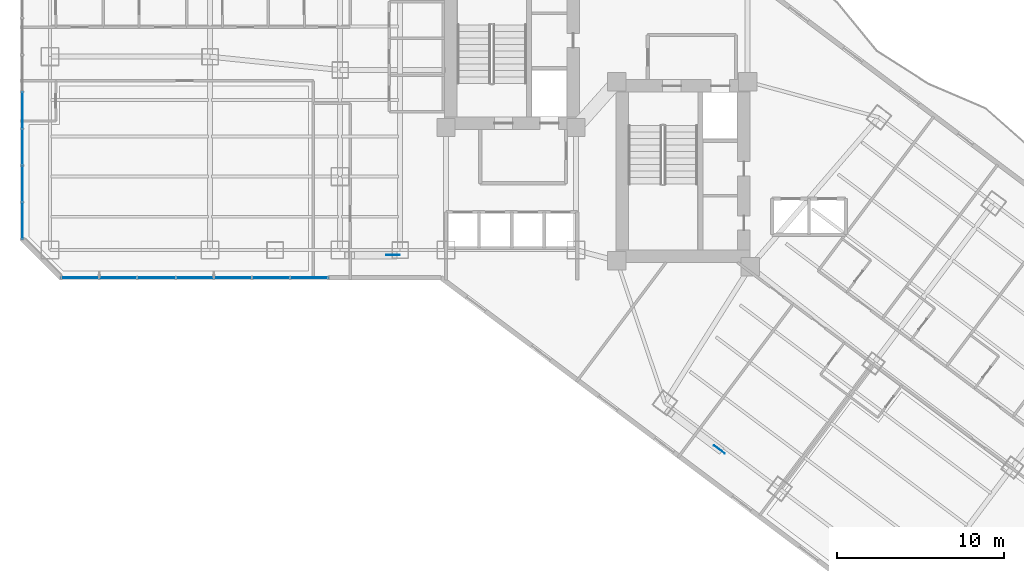
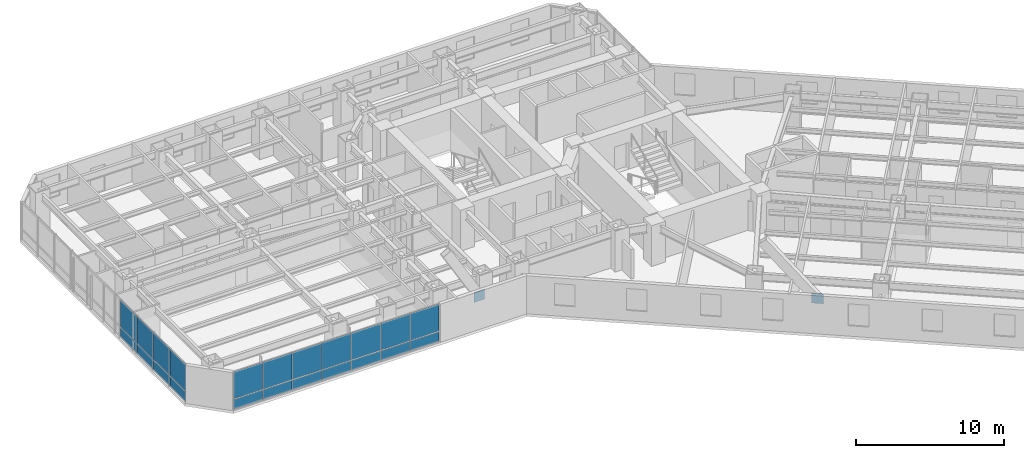
# One storey, part 20 of 33: 24 plates, 2 elements without a shape of their own.
"""IFC4 building model written with IfcOpenShell, lengths in metres."""

import ifcopenshell
import ifcopenshell.guid

model = None  # the IFC model being written
_history = None  # IfcOwnerHistory: only IFC2X3 demands one
_inside = {}  # id of a spatial element -> (the spatial element, [elements in it])
_under = {}  # id of a project, library or spatial element -> (it, [spatial elements below it])
_declared = {}  # id of a project -> (the project, [libraries it declares])
_typed = {}  # id of a type object -> (the type object, [elements of that type])
_made_of = {}  # id of a material, layer set ... -> (it, [elements and type objects made of it])


def new_model(schema):
    """Start an empty IFC model of exactly this schema.

    Asked for "IFC4X3", IfcOpenShell would pick the latest addendum, in which some entities
    have other attributes; the version numbers below select the first issue.
    IFC2X3 requires an IfcOwnerHistory on every rooted entity: one is made here for all.
    """
    global model, _history
    if schema == "IFC4X3":
        model = ifcopenshell.file(schema_version=(4, 3, 0, 0))
    else:
        model = ifcopenshell.file(schema=schema)
    _inside.clear()
    _under.clear()
    _declared.clear()
    _typed.clear()
    _made_of.clear()
    _history = None
    if model.schema == "IFC2X3":
        org = make("IfcOrganization", Name="unknown")
        user = make(
            "IfcPersonAndOrganization",
            ThePerson=make("IfcPerson", FamilyName="unknown"),
            TheOrganization=org,
        )
        app = make(
            "IfcApplication",
            ApplicationDeveloper=org,
            Version="unknown",
            ApplicationFullName="unknown",
            ApplicationIdentifier="unknown",
        )
        _history = make(
            "IfcOwnerHistory",
            OwningUser=user,
            OwningApplication=app,
            ChangeAction="ADDED",
            CreationDate=0,
        )
    return model


def make(cls, **values):
    """One entity of the class cls with the attributes given. An attribute that is None is left unset."""
    return model.create_entity(
        cls, **{name: value for name, value in values.items() if value is not None}
    )


def rooted(cls, **values):
    """An entity with a GlobalId (a new one), such as an element, a storey or a relation."""
    return make(cls, GlobalId=ifcopenshell.guid.new(), OwnerHistory=_history, **values)


def si_unit(unit_type, name, prefix=None):
    """IfcSIUnit, for example si_unit("LENGTHUNIT", "METRE", prefix="MILLI")."""
    return make("IfcSIUnit", UnitType=unit_type, Prefix=prefix, Name=name)


def assignment(units):
    """IfcUnitAssignment: the units of a project."""
    return None if units is None else make("IfcUnitAssignment", Units=units)


def point(xyz):
    """IfcCartesianPoint."""
    return None if xyz is None else make("IfcCartesianPoint", Coordinates=xyz)


def direction(xyz):
    """IfcDirection."""
    return None if xyz is None else make("IfcDirection", DirectionRatios=xyz)


def frame(location, z_axis=None, x_axis=None):
    """IfcAxis2Placement3D, a coordinate frame: its origin and axes. An axis left out is left unset."""
    return make(
        "IfcAxis2Placement3D",
        Location=point(location),
        Axis=direction(z_axis),
        RefDirection=direction(x_axis),
    )


def frame_2d(location, x_axis=None):
    """IfcAxis2Placement2D, a coordinate frame in the plane: its origin and x axis."""
    return make(
        "IfcAxis2Placement2D", Location=point(location), RefDirection=direction(x_axis)
    )


def origin():
    """The frame at (0, 0, 0) with its axes left unset."""
    return frame((0.0, 0.0, 0.0))


def origin_2d():
    """The frame at (0, 0) in the plane with its x axis left unset."""
    return frame_2d((0.0, 0.0))


def place(relative_to, where):
    """IfcLocalPlacement: puts the frame where relative to a parent placement (None: the world)."""
    return make(
        "IfcLocalPlacement", PlacementRelTo=relative_to, RelativePlacement=where
    )


def context(
    kind, dimensions, precision=None, world=None, true_north=None, identifier=None
):
    """IfcGeometricRepresentationContext, for example the 3D "Model" context."""
    return make(
        "IfcGeometricRepresentationContext",
        ContextIdentifier=identifier,
        ContextType=kind,
        CoordinateSpaceDimension=dimensions,
        Precision=precision,
        WorldCoordinateSystem=world,
        TrueNorth=true_north,
    )


def subcontext(parent, identifier, kind, view, scale=None):
    """IfcGeometricRepresentationSubContext, for example "Body" below "Model"."""
    return make(
        "IfcGeometricRepresentationSubContext",
        ContextIdentifier=identifier,
        ContextType=kind,
        ParentContext=parent,
        TargetScale=scale,
        TargetView=view,
    )


def project(units=None, contexts=None):
    """IfcProject with its units and contexts."""
    return rooted(
        "IfcProject",
        Name="project",
        RepresentationContexts=contexts,
        UnitsInContext=assignment(units),
    )


def spatial(cls, under=None, at=None, **own):
    """A site, building, storey or space (cls), placed at a placement, below another one or the project."""
    s = rooted(cls, ObjectPlacement=at, **own)
    if under is not None:
        _under.setdefault(under.id(), (under, []))[1].append(s)
    return s


def profile(cls, at=None, kind="AREA", **sizes):
    """A parametric profile (cls). Its sizes go by their IFC names, for example OverallWidth=200.0."""
    return make(cls, ProfileType=kind, Position=at, **sizes)


def rectangle(**sizes):
    """IfcRectangleProfileDef."""
    return profile("IfcRectangleProfileDef", **sizes)


def extrude(swept, where, along, depth):
    """IfcExtrudedAreaSolid: the profile swept, set in the frame where, extruded along a direction by depth."""
    return make(
        "IfcExtrudedAreaSolid",
        SweptArea=swept,
        Position=where,
        ExtrudedDirection=direction(along),
        Depth=depth,
    )


def shape(context_of_items, identifier, shape_type, items):
    """IfcShapeRepresentation: the items that make up one representation, for example the "Body"."""
    return make(
        "IfcShapeRepresentation",
        ContextOfItems=context_of_items,
        RepresentationIdentifier=identifier,
        RepresentationType=shape_type,
        Items=items,
    )


def material(Name=None, Category=None):
    """IfcMaterial."""
    return make("IfcMaterial", Name=Name, Category=Category)


def layer(
    of_material, thickness, ventilated=None, Name=None, Category=None, Priority=None
):
    """IfcMaterialLayer: one layer of a wall or slab, of a material (None: an air gap)."""
    return make(
        "IfcMaterialLayer",
        Material=of_material,
        LayerThickness=thickness,
        IsVentilated=ventilated,
        Name=Name,
        Category=Category,
        Priority=Priority,
    )


def layer_set(layers, Name=None):
    """IfcMaterialLayerSet."""
    return make("IfcMaterialLayerSet", MaterialLayers=layers, LayerSetName=Name)


def made_of(thing, what):
    """Note that an element or type object is made of a material, layer set ...; save() writes the relation."""
    if what is not None:
        _made_of.setdefault(what.id(), (what, []))[1].append(thing)
    return thing


def type_object(cls, material=None, **own):
    """A type object (cls), such as IfcWallType, which elements share."""
    return made_of(rooted(cls, **own), material)


def element(
    cls,
    number,
    at=None,
    inside=None,
    cuts=None,
    type_object=None,
    material=None,
    context=None,
    identifier="Body",
    shape_type=None,
    held_by="IfcProductDefinitionShape",
    body=None,
    shapes=None,
    **own,
):
    """One element of the class cls, such as IfcWall. Its Tag is "e" and its number.

    at: its placement. inside: the storey or other place that contains it. cuts: it is an
    opening in that element (IfcRelVoidsElement). A single representation is given by context,
    identifier, shape_type and body (its items); several are given by shapes. held_by: the class
    of the entity that holds the representations. save() writes the other relations.
    """
    e = rooted(cls, Tag="e%d" % number, ObjectPlacement=at, **own)
    if body is not None:
        shapes = [shape(context, identifier, shape_type, body)]
    if shapes is not None:
        e.Representation = make(held_by, Representations=shapes)
    if inside is not None:
        _inside.setdefault(inside.id(), (inside, []))[1].append(e)
    if cuts is not None:
        rooted(
            "IfcRelVoidsElement", RelatingBuildingElement=cuts, RelatedOpeningElement=e
        )
    if type_object is not None:
        _typed.setdefault(type_object.id(), (type_object, []))[1].append(e)
    return made_of(e, material)


def aggregate(whole, parts):
    """IfcRelAggregates: a whole, such as a stair, and the parts it consists of."""
    return rooted("IfcRelAggregates", RelatingObject=whole, RelatedObjects=parts)


def save(model, path):
    """Write the relations noted so far, then the file.

    IfcRelAggregates (storeys below a building ...), IfcRelContainedInSpatialStructure (elements
    in a storey), IfcRelDefinesByType, IfcRelAssociatesMaterial and IfcRelDeclares: one each for
    every whole, place, type object, material and project.
    """
    for whole, parts in _under.values():
        aggregate(whole, parts)
    for where, things in _inside.values():
        rooted(
            "IfcRelContainedInSpatialStructure",
            RelatedElements=things,
            RelatingStructure=where,
        )
    for kind, things in _typed.values():
        rooted("IfcRelDefinesByType", RelatedObjects=things, RelatingType=kind)
    for what, things in _made_of.values():
        rooted("IfcRelAssociatesMaterial", RelatedObjects=things, RelatingMaterial=what)
    for by, libraries in _declared.values():
        rooted("IfcRelDeclares", RelatingContext=by, RelatedDefinitions=libraries)
    model.write(path)


model = new_model("IFC4")

# Units and contexts
model_context = context("Model", 3, precision=1e-05, world=origin(), true_north=direction((0.0, 1.0)))
body_context = subcontext(model_context, "Body", "Model", "MODEL_VIEW")
ifc_project = project(units=[si_unit("LENGTHUNIT", "METRE"), si_unit("AREAUNIT", "SQUARE_METRE"), si_unit("VOLUMEUNIT", "CUBIC_METRE"), si_unit("PLANEANGLEUNIT", "RADIAN"), si_unit("MASSUNIT", "GRAM", prefix="KILO")], contexts=[model_context])

# Site, building, storey
site_placement = place(None, origin())
site = spatial("IfcSite", under=ifc_project, at=site_placement, CompositionType="ELEMENT")
building_placement = place(site_placement, origin())
building = spatial("IfcBuilding", under=site, at=building_placement, Name="Hatsunagi Terrace Concourse", CompositionType="ELEMENT")
storey_placement = place(building_placement, frame((0.0, 0.0, 56.699951171875)))
storey = spatial("IfcBuildingStorey", under=building, at=storey_placement, Name="L14", CompositionType="ELEMENT", Elevation=56.699951171875)

# Curtain wall, plates
ifc_material_1 = material(Name="Anodised Aluminium Alloy 6063-T5", Category="aluminium")
ifc_layer_1 = layer(ifc_material_1, 0.199951171875)
ifc_layer_set_1 = layer_set([ifc_layer_1], Name="HotelFacade_CW02")
curtain_wall_type = type_object("IfcCurtainWallType", Name="HotelFacade_CW02", PredefinedType="NOTDEFINED", material=ifc_layer_set_1)
curtain_wall_1_placement = place(storey_placement, origin())
curtain_wall_1 = element("IfcCurtainWall", 1, at=curtain_wall_1_placement, inside=storey, type_object=curtain_wall_type, Name="Unitised Curtain Wall CW-02 CW-L14-07", PredefinedType="NOTDEFINED")
ifc_material_2 = material(Name="Warm Terracotta Ceramic Spandrel Panel", Category="masonry")
ifc_layer_2 = layer(ifc_material_2, 0.031982421875)
ifc_layer_set_2 = layer_set([ifc_layer_2], Name="CurtainWallSpandrelPanel_32")
plate_type_1 = type_object("IfcPlateType", Name="CurtainWallSpandrelPanel_32", PredefinedType="SHEET", material=ifc_layer_set_2)
plate_1_placement = place(storey_placement, frame((17.35400390625, 23.5400390625, 0.030029296875), z_axis=(0.0, 0.0, 1.0), x_axis=(-1.0, 0.0, 0.0)))
plate_1 = element("IfcPlate", 2, at=plate_1_placement, type_object=plate_type_1, Name="Terracotta Spandrel Panel SPN-01", PredefinedType="SHEET", context=body_context, shape_type="SweptSolid", body=[
    extrude(rectangle(XDim=2.237060546875, YDim=0.031982421875, at=origin_2d()), origin(), (0.0, 0.0, 1.0), 0.7900390625),
])
plate_2_placement = place(storey_placement, frame((15.06201171875, 23.5400390625, 0.030029296875), z_axis=(0.0, 0.0, 1.0), x_axis=(-1.0, 0.0, 0.0)))
plate_2 = element("IfcPlate", 3, at=plate_2_placement, type_object=plate_type_1, Name="Terracotta Spandrel Panel SPN-01", PredefinedType="SHEET", context=body_context, shape_type="SweptSolid", body=[
    extrude(rectangle(XDim=2.237060546875, YDim=0.031982421875, at=origin_2d()), origin(), (0.0, 0.0, 1.0), 0.7900390625),
])
plate_3_placement = place(storey_placement, frame((12.77099609375, 23.5400390625, 0.030029296875), z_axis=(0.0, 0.0, 1.0), x_axis=(-1.0, 0.0, 0.0)))
plate_3 = element("IfcPlate", 4, at=plate_3_placement, type_object=plate_type_1, Name="Terracotta Spandrel Panel SPN-01", PredefinedType="SHEET", context=body_context, shape_type="SweptSolid", body=[
    extrude(rectangle(XDim=2.237060546875, YDim=0.031982421875, at=origin_2d()), origin(), (0.0, 0.0, 1.0), 0.7900390625),
])
plate_4_placement = place(storey_placement, frame((10.47900390625, 23.5400390625, 0.030029296875), z_axis=(0.0, 0.0, 1.0), x_axis=(-1.0, 0.0, 0.0)))
plate_4 = element("IfcPlate", 5, at=plate_4_placement, type_object=plate_type_1, Name="Terracotta Spandrel Panel SPN-01", PredefinedType="SHEET", context=body_context, shape_type="SweptSolid", body=[
    extrude(rectangle(XDim=2.237060546875, YDim=0.031982421875, at=origin_2d()), origin(), (0.0, 0.0, 1.0), 0.7900390625),
])
plate_5_placement = place(storey_placement, frame((8.18701171875, 23.5400390625, 0.030029296875), z_axis=(0.0, 0.0, 1.0), x_axis=(-1.0, 0.0, 0.0)))
plate_5 = element("IfcPlate", 6, at=plate_5_placement, type_object=plate_type_1, Name="Terracotta Spandrel Panel SPN-01", PredefinedType="SHEET", context=body_context, shape_type="SweptSolid", body=[
    extrude(rectangle(XDim=2.237060546875, YDim=0.031982421875, at=origin_2d()), origin(), (0.0, 0.0, 1.0), 0.7900390625),
])
plate_6_placement = place(storey_placement, frame((5.89599609375, 23.5400390625, 0.030029296875), z_axis=(0.0, 0.0, 1.0), x_axis=(-1.0, 0.0, 0.0)))
plate_6 = element("IfcPlate", 7, at=plate_6_placement, type_object=plate_type_1, Name="Terracotta Spandrel Panel SPN-01", PredefinedType="SHEET", context=body_context, shape_type="SweptSolid", body=[
    extrude(rectangle(XDim=2.237060546875, YDim=0.031982421875, at=origin_2d()), origin(), (0.0, 0.0, 1.0), 0.7900390625),
])
plate_7_placement = place(storey_placement, frame((3.60400390625, 23.5400390625, 0.030029296875), z_axis=(0.0, 0.0, 1.0), x_axis=(-1.0, 0.0, 0.0)))
plate_7 = element("IfcPlate", 8, at=plate_7_placement, type_object=plate_type_1, Name="Terracotta Spandrel Panel SPN-01", PredefinedType="SHEET", context=body_context, shape_type="SweptSolid", body=[
    extrude(rectangle(XDim=2.237060546875, YDim=0.031982421875, at=origin_2d()), origin(), (0.0, 0.0, 1.0), 0.7900390625),
])

curtain_wall_2_placement = place(storey_placement, origin())
curtain_wall_2 = element("IfcCurtainWall", 9, at=curtain_wall_2_placement, inside=storey, type_object=curtain_wall_type, Name="Unitised Curtain Wall CW-02 CW-L14-09", PredefinedType="NOTDEFINED")
plate_8_placement = place(storey_placement, frame((0.139892578125, 26.9619140625, 0.030029296875), z_axis=(0.0, 0.0, 1.0), x_axis=(0.0, 1.0, 0.0)))
plate_8 = element("IfcPlate", 10, at=plate_8_placement, type_object=plate_type_1, Name="Terracotta Spandrel Panel SPN-01", PredefinedType="SHEET", context=body_context, shape_type="SweptSolid", body=[
    extrude(rectangle(XDim=2.153076171875, YDim=0.031982421875, at=origin_2d()), origin(), (0.0, 0.0, 1.0), 0.7900390625),
])
plate_9_placement = place(storey_placement, frame((0.139892578125, 29.1708984375, 0.030029296875), z_axis=(0.0, 0.0, 1.0), x_axis=(0.0, 1.0, 0.0)))
plate_9 = element("IfcPlate", 11, at=plate_9_placement, type_object=plate_type_1, Name="Terracotta Spandrel Panel SPN-01", PredefinedType="SHEET", context=body_context, shape_type="SweptSolid", body=[
    extrude(rectangle(XDim=2.153076171875, YDim=0.031982421875, at=origin_2d()), origin(), (0.0, 0.0, 1.0), 0.7900390625),
])
plate_10_placement = place(storey_placement, frame((0.139892578125, 31.37890625, 0.030029296875), z_axis=(0.0, 0.0, 1.0), x_axis=(0.0, 1.0, 0.0)))
plate_10 = element("IfcPlate", 12, at=plate_10_placement, type_object=plate_type_1, Name="Terracotta Spandrel Panel SPN-01", PredefinedType="SHEET", context=body_context, shape_type="SweptSolid", body=[
    extrude(rectangle(XDim=2.153076171875, YDim=0.031982421875, at=origin_2d()), origin(), (0.0, 0.0, 1.0), 0.7900390625),
])
plate_11_placement = place(storey_placement, frame((0.139892578125, 33.5869140625, 0.030029296875), z_axis=(0.0, 0.0, 1.0), x_axis=(0.0, 1.0, 0.0)))
plate_11 = element("IfcPlate", 13, at=plate_11_placement, type_object=plate_type_1, Name="Terracotta Spandrel Panel SPN-01", PredefinedType="SHEET", context=body_context, shape_type="SweptSolid", body=[
    extrude(rectangle(XDim=2.153076171875, YDim=0.031982421875, at=origin_2d()), origin(), (0.0, 0.0, 1.0), 0.7900390625),
])

# Plate
ifc_material_3 = material(Name="Low-E Double Insulating Glass 28mm", Category="glass")
ifc_layer_3 = layer(ifc_material_3, 0.028076171875)
ifc_layer_set_3 = layer_set([ifc_layer_3], Name="CurtainWallVisionGlass_28")
plate_type_2 = type_object("IfcPlateType", Name="CurtainWallVisionGlass_28", PredefinedType="CURTAIN_PANEL", material=ifc_layer_set_3)
plate_12_placement = place(storey_placement, frame((17.35400390625, 23.5400390625, 0.8798828125), z_axis=(0.0, 0.0, 1.0), x_axis=(-1.0, 0.0, 0.0)))
plate_12 = element("IfcPlate", 14, at=plate_12_placement, type_object=plate_type_2, Name="Low-E Vision Glass Panel GLZ-01", PredefinedType="CURTAIN_PANEL", context=body_context, shape_type="SweptSolid", body=[
    extrude(rectangle(XDim=2.237060546875, YDim=0.028076171875, at=origin_2d()), origin(), (0.0, 0.0, 1.0), 2.219970703125),
])

plate_13_placement = place(storey_placement, frame((15.06201171875, 23.5400390625, 0.8798828125), z_axis=(0.0, 0.0, 1.0), x_axis=(-1.0, 0.0, 0.0)))
plate_13 = element("IfcPlate", 15, at=plate_13_placement, type_object=plate_type_2, Name="Low-E Vision Glass Panel GLZ-01", PredefinedType="CURTAIN_PANEL", context=body_context, shape_type="SweptSolid", body=[
    extrude(rectangle(XDim=2.237060546875, YDim=0.028076171875, at=origin_2d()), origin(), (0.0, 0.0, 1.0), 2.219970703125),
])

plate_14_placement = place(storey_placement, frame((12.77099609375, 23.5400390625, 0.8798828125), z_axis=(0.0, 0.0, 1.0), x_axis=(-1.0, 0.0, 0.0)))
plate_14 = element("IfcPlate", 16, at=plate_14_placement, type_object=plate_type_2, Name="Low-E Vision Glass Panel GLZ-01", PredefinedType="CURTAIN_PANEL", context=body_context, shape_type="SweptSolid", body=[
    extrude(rectangle(XDim=2.237060546875, YDim=0.028076171875, at=origin_2d()), origin(), (0.0, 0.0, 1.0), 2.219970703125),
])

plate_15_placement = place(storey_placement, frame((10.47900390625, 23.5400390625, 0.8798828125), z_axis=(0.0, 0.0, 1.0), x_axis=(-1.0, 0.0, 0.0)))
plate_15 = element("IfcPlate", 17, at=plate_15_placement, type_object=plate_type_2, Name="Low-E Vision Glass Panel GLZ-01", PredefinedType="CURTAIN_PANEL", context=body_context, shape_type="SweptSolid", body=[
    extrude(rectangle(XDim=2.237060546875, YDim=0.028076171875, at=origin_2d()), origin(), (0.0, 0.0, 1.0), 2.219970703125),
])

plate_16_placement = place(storey_placement, frame((8.18701171875, 23.5400390625, 0.8798828125), z_axis=(0.0, 0.0, 1.0), x_axis=(-1.0, 0.0, 0.0)))
plate_16 = element("IfcPlate", 18, at=plate_16_placement, type_object=plate_type_2, Name="Low-E Vision Glass Panel GLZ-01", PredefinedType="CURTAIN_PANEL", context=body_context, shape_type="SweptSolid", body=[
    extrude(rectangle(XDim=2.237060546875, YDim=0.028076171875, at=origin_2d()), origin(), (0.0, 0.0, 1.0), 2.219970703125),
])

plate_17_placement = place(storey_placement, frame((5.89599609375, 23.5400390625, 0.8798828125), z_axis=(0.0, 0.0, 1.0), x_axis=(-1.0, 0.0, 0.0)))
plate_17 = element("IfcPlate", 19, at=plate_17_placement, type_object=plate_type_2, Name="Low-E Vision Glass Panel GLZ-01", PredefinedType="CURTAIN_PANEL", context=body_context, shape_type="SweptSolid", body=[
    extrude(rectangle(XDim=2.237060546875, YDim=0.028076171875, at=origin_2d()), origin(), (0.0, 0.0, 1.0), 2.219970703125),
])

plate_18_placement = place(storey_placement, frame((3.60400390625, 23.5400390625, 0.8798828125), z_axis=(0.0, 0.0, 1.0), x_axis=(-1.0, 0.0, 0.0)))
plate_18 = element("IfcPlate", 20, at=plate_18_placement, type_object=plate_type_2, Name="Low-E Vision Glass Panel GLZ-01", PredefinedType="CURTAIN_PANEL", context=body_context, shape_type="SweptSolid", body=[
    extrude(rectangle(XDim=2.237060546875, YDim=0.028076171875, at=origin_2d()), origin(), (0.0, 0.0, 1.0), 2.219970703125),
])

aggregate(curtain_wall_1, [plate_1, plate_12, plate_2, plate_13, plate_3, plate_14, plate_4, plate_15, plate_5, plate_16, plate_6, plate_17, plate_7, plate_18])

plate_19_placement = place(storey_placement, frame((0.139892578125, 26.9619140625, 0.8798828125), z_axis=(0.0, 0.0, 1.0), x_axis=(0.0, 1.0, 0.0)))
plate_19 = element("IfcPlate", 21, at=plate_19_placement, type_object=plate_type_2, Name="Low-E Vision Glass Panel GLZ-01", PredefinedType="CURTAIN_PANEL", context=body_context, shape_type="SweptSolid", body=[
    extrude(rectangle(XDim=2.153076171875, YDim=0.028076171875, at=origin_2d()), origin(), (0.0, 0.0, 1.0), 2.219970703125),
])

plate_20_placement = place(storey_placement, frame((0.139892578125, 29.1708984375, 0.8798828125), z_axis=(0.0, 0.0, 1.0), x_axis=(0.0, 1.0, 0.0)))
plate_20 = element("IfcPlate", 22, at=plate_20_placement, type_object=plate_type_2, Name="Low-E Vision Glass Panel GLZ-01", PredefinedType="CURTAIN_PANEL", context=body_context, shape_type="SweptSolid", body=[
    extrude(rectangle(XDim=2.153076171875, YDim=0.028076171875, at=origin_2d()), origin(), (0.0, 0.0, 1.0), 2.219970703125),
])

plate_21_placement = place(storey_placement, frame((0.139892578125, 31.37890625, 0.8798828125), z_axis=(0.0, 0.0, 1.0), x_axis=(0.0, 1.0, 0.0)))
plate_21 = element("IfcPlate", 23, at=plate_21_placement, type_object=plate_type_2, Name="Low-E Vision Glass Panel GLZ-01", PredefinedType="CURTAIN_PANEL", context=body_context, shape_type="SweptSolid", body=[
    extrude(rectangle(XDim=2.153076171875, YDim=0.028076171875, at=origin_2d()), origin(), (0.0, 0.0, 1.0), 2.219970703125),
])

plate_22_placement = place(storey_placement, frame((0.139892578125, 33.5869140625, 0.8798828125), z_axis=(0.0, 0.0, 1.0), x_axis=(0.0, 1.0, 0.0)))
plate_22 = element("IfcPlate", 24, at=plate_22_placement, type_object=plate_type_2, Name="Low-E Vision Glass Panel GLZ-01", PredefinedType="CURTAIN_PANEL", context=body_context, shape_type="SweptSolid", body=[
    extrude(rectangle(XDim=2.153076171875, YDim=0.028076171875, at=origin_2d()), origin(), (0.0, 0.0, 1.0), 2.219970703125),
])

aggregate(curtain_wall_2, [plate_8, plate_19, plate_9, plate_20, plate_10, plate_21, plate_11, plate_22])

# Plates
ifc_material_4 = material(Name="Steel SN490C", Category="steel")
ifc_layer_4 = layer(ifc_material_4, 0.031982421875)
ifc_layer_set_4 = layer_set([ifc_layer_4], Name="XBraceNodeCapPlate_32")
plate_type_3 = type_object("IfcPlateType", Name="XBraceNodeCapPlate_32", PredefinedType="USERDEFINED", material=ifc_layer_set_4)
for number, where, z_axis, x_axis, name in (
    (25, (22.375, 24.89990234375, 1.1650390625), (0.0, 0.0, 1.0), (1.0, 0.0, 0.0), "X-Brace Crossing Gusset Node Plate GP-02 XB-L13-W1"),
    (26, (41.951904296875, 13.236083984375, 1.1650390625), (0.0, 0.0, 1.0), (0.799999996291, -0.600000004945, 0.0), "X-Brace Crossing Gusset Node Plate GP-02 XB-L13-SE"),
):
    element("IfcPlate", number, at=place(storey_placement, frame(where, z_axis=z_axis, x_axis=x_axis)), inside=storey, type_object=plate_type_3, Name=name, ObjectType="GUSSET_PLATE", PredefinedType="USERDEFINED", context=body_context, shape_type="SweptSolid", body=[
        extrude(rectangle(XDim=0.800048828125, YDim=0.031982421875, at=origin_2d()), origin(), (0.0, 0.0, 1.0), 0.800048828125),
    ])

save(model, "model.ifc")
